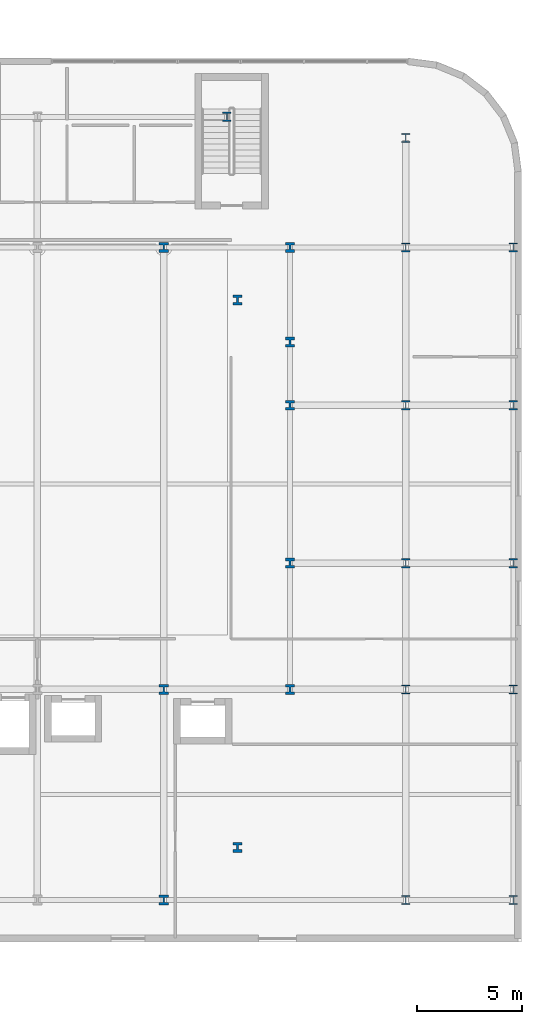
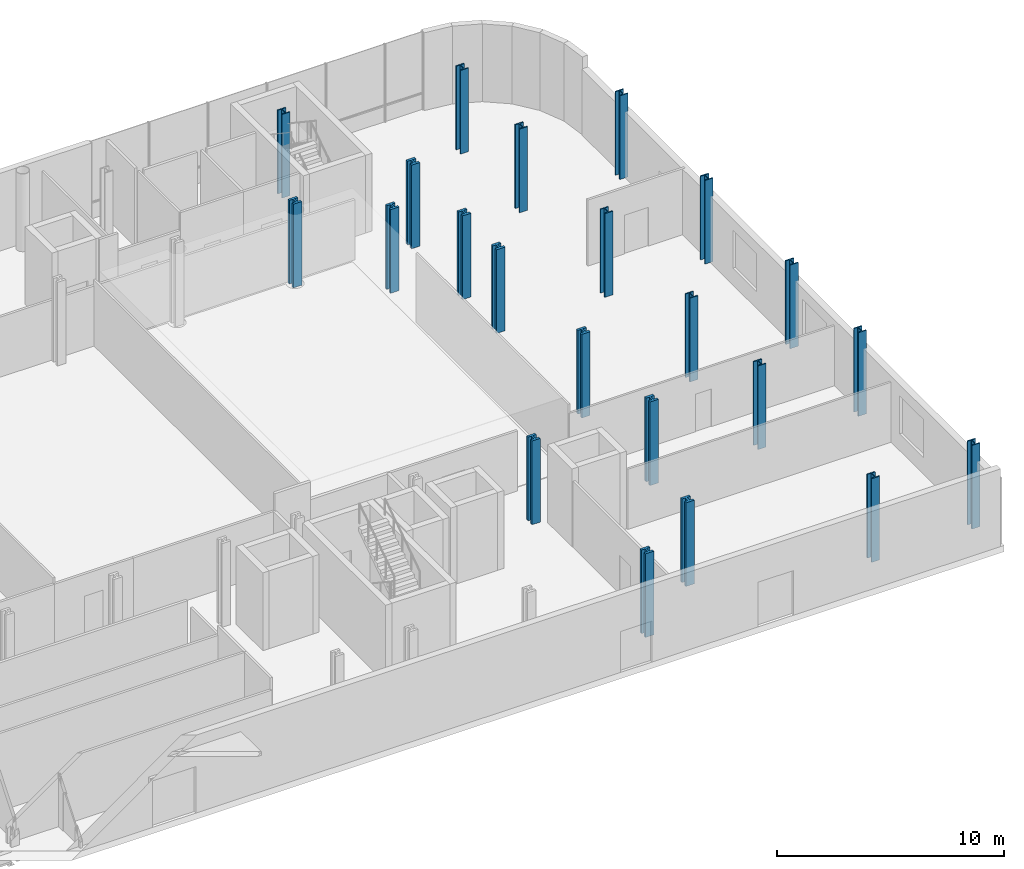
# One storey, part 2 of 28: 22 columns.
"""IFC4 building model written with IfcOpenShell, lengths in metres."""

from ifc_helpers import new_model, si_unit, direction, frame, origin, origin_2d, place, context, subcontext, project, spatial, i_section, extrude, material, material_profile, profile_set, type_object, element, save


model = new_model("IFC4")

# Units and contexts
model_context = context("Model", 3, precision=1e-05, world=origin(), true_north=direction((0.0, 1.0)))
body_context = subcontext(model_context, "Body", "Model", "MODEL_VIEW")
ifc_project = project(units=[si_unit("LENGTHUNIT", "METRE"), si_unit("AREAUNIT", "SQUARE_METRE"), si_unit("VOLUMEUNIT", "CUBIC_METRE"), si_unit("PLANEANGLEUNIT", "RADIAN"), si_unit("MASSUNIT", "GRAM", prefix="KILO")], contexts=[model_context])

# Site, building, storey
site_placement = place(None, origin())
site = spatial("IfcSite", under=ifc_project, at=site_placement, CompositionType="ELEMENT")
building_placement = place(site_placement, origin())
building = spatial("IfcBuilding", under=site, at=building_placement, Name="Brevholm Reach", CompositionType="ELEMENT")
storey_placement = place(building_placement, origin())
storey = spatial("IfcBuildingStorey", under=building, at=storey_placement, Name="L00", CompositionType="ELEMENT", Elevation=0.0)

# Columns
ifc_material_1 = material(Name="Structural Steel S460ML", Category="steel")
ifc_material_profile_1 = material_profile(ifc_material_1, i_section(OverallWidth=0.427978515625, OverallDepth=0.468994140625, WebThickness=0.077880859375, FlangeThickness=0.125, FilletRadius=0.014892578125, at=origin_2d()), Name="HD 400x1086")
ifc_profile_set_1 = profile_set([ifc_material_profile_1], Name="Structural Steel S460ML")
column_type_1 = type_object("IfcColumnType", Name="COL-HD1", PredefinedType="COLUMN", material=ifc_profile_set_1)
for number, where, z_axis, x_axis, name in (
    (1, (54.0, 0.0, 0.0), (0.0, 0.0, 1.0), (1.0, 0.0, 0.0), "L00 Column 50"),
    (2, (54.0, 10.0, 0.0), (0.0, 0.0, 1.0), (1.0, 0.0, 0.0), "L00 Column 51"),
    (3, (54.0, 31.0, 0.0), (0.0, 0.0, 1.0), (1.0, 0.0, 0.0), "L00 Column 52"),
    (4, (57.5, 2.5, 0.0), (0.0, 0.0, 1.0), (1.0, 0.0, 0.0), "L00 Column 54"),
    (5, (57.5, 28.5, 0.0), (0.0, 0.0, 1.0), (1.0, 0.0, 0.0), "L00 Column 55"),
    (6, (60.0, 10.0, 0.0), (0.0, 0.0, 1.0), (1.0, 0.0, 0.0), "L00 Column 56"),
    (7, (60.0, 16.0, 0.0), (0.0, 0.0, 1.0), (1.0, 0.0, 0.0), "L00 Column 57"),
    (8, (60.0, 23.5, 0.0), (0.0, 0.0, 1.0), (1.0, 0.0, 0.0), "L00 Column 58"),
    (9, (60.0, 26.5, 0.0), (0.0, 0.0, 1.0), (1.0, 0.0, 0.0), "L00 Column 59"),
    (10, (60.0, 31.0, 0.0), (0.0, 0.0, 1.0), (1.0, 0.0, 0.0), "L00 Column 60"),
):
    element("IfcColumn", number, at=place(storey_placement, frame(where, z_axis=z_axis, x_axis=x_axis)), inside=storey, type_object=column_type_1, Name=name, PredefinedType="COLUMN", context=body_context, shape_type="SweptSolid", body=[
        extrude(i_section(OverallWidth=0.427978515625, OverallDepth=0.468994140625, WebThickness=0.077880859375, FlangeThickness=0.125, FilletRadius=0.014892578125, at=origin_2d()), origin(), (0.0, 0.0, 1.0), 4.5),
    ])
ifc_material_2 = material(Name="Structural Steel S460ML", Category="steel")
ifc_material_profile_2 = material_profile(ifc_material_2, i_section(OverallWidth=0.412109375, OverallDepth=0.4365234375, WebThickness=0.035888671875, FlangeThickness=0.05810546875, FilletRadius=0.01513671875, at=origin_2d()), Name="UKC 356x406x467")
ifc_profile_set_2 = profile_set([ifc_material_profile_2], Name="Structural Steel S460ML")
column_type_2 = type_object("IfcColumnType", Name="COL-UC3", PredefinedType="COLUMN", material=ifc_profile_set_2)
for number, where, z_axis, x_axis, name in (
    (11, (57.0, 37.199951171875, 0.0), (0.0, 0.0, 1.0), (1.0, 0.0, 0.0), "L00 Column 53"),
    (12, (65.5, 0.0, 0.0), (0.0, 0.0, 1.0), (1.0, 0.0, 0.0), "L00 Column 61"),
    (13, (65.5, 10.0, 0.0), (0.0, 0.0, 1.0), (1.0, 0.0, 0.0), "L00 Column 62"),
    (14, (65.5, 16.0, 0.0), (0.0, 0.0, 1.0), (1.0, 0.0, 0.0), "L00 Column 63"),
    (15, (65.5, 23.5, 0.0), (0.0, 0.0, 1.0), (1.0, 0.0, 0.0), "L00 Column 64"),
    (16, (65.5, 31.0, 0.0), (0.0, 0.0, 1.0), (1.0, 0.0, 0.0), "L00 Column 65"),
    (17, (65.5, 36.199951171875, 0.0), (0.0, 0.0, 1.0), (1.0, 0.0, 0.0), "L00 Column 66"),
    (18, (70.60009765625, 0.0, 0.0), (0.0, 0.0, 1.0), (1.0, 0.0, 0.0), "L00 Column 67"),
    (19, (70.60009765625, 10.0, 0.0), (0.0, 0.0, 1.0), (1.0, 0.0, 0.0), "L00 Column 68"),
    (20, (70.60009765625, 16.0, 0.0), (0.0, 0.0, 1.0), (1.0, 0.0, 0.0), "L00 Column 69"),
    (21, (70.60009765625, 23.5, 0.0), (0.0, 0.0, 1.0), (1.0, 0.0, 0.0), "L00 Column 70"),
    (22, (70.60009765625, 31.0, 0.0), (0.0, 0.0, 1.0), (1.0, 0.0, 0.0), "L00 Column 71"),
):
    element("IfcColumn", number, at=place(storey_placement, frame(where, z_axis=z_axis, x_axis=x_axis)), inside=storey, type_object=column_type_2, Name=name, PredefinedType="COLUMN", context=body_context, shape_type="SweptSolid", body=[
        extrude(i_section(OverallWidth=0.412109375, OverallDepth=0.4365234375, WebThickness=0.035888671875, FlangeThickness=0.05810546875, FilletRadius=0.01513671875, at=origin_2d()), origin(), (0.0, 0.0, 1.0), 4.5),
    ])

save(model, "model.ifc")
